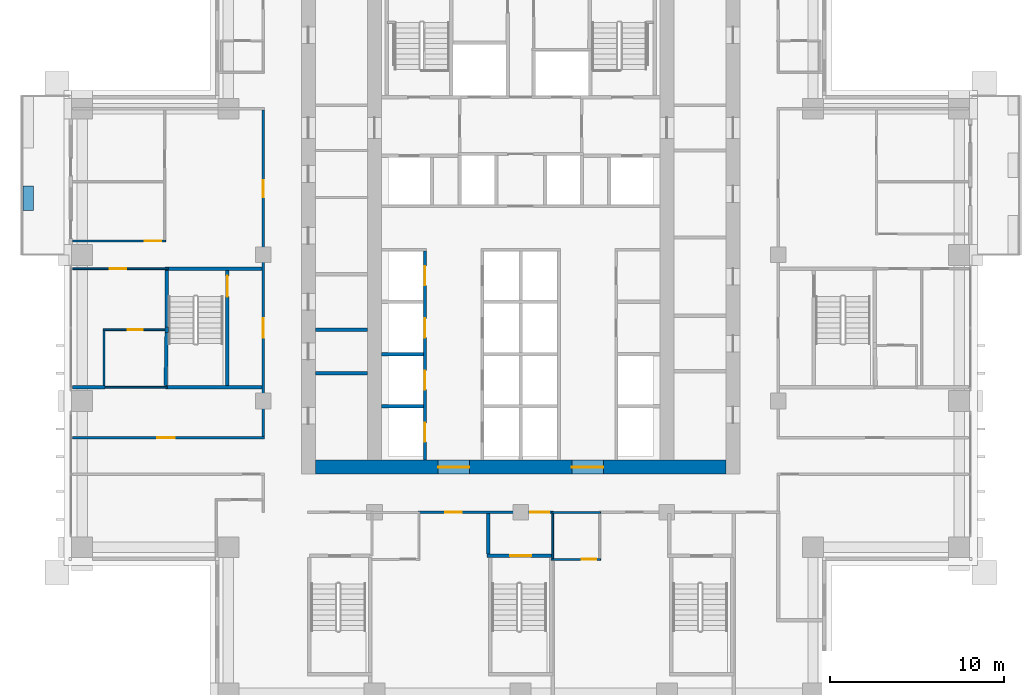
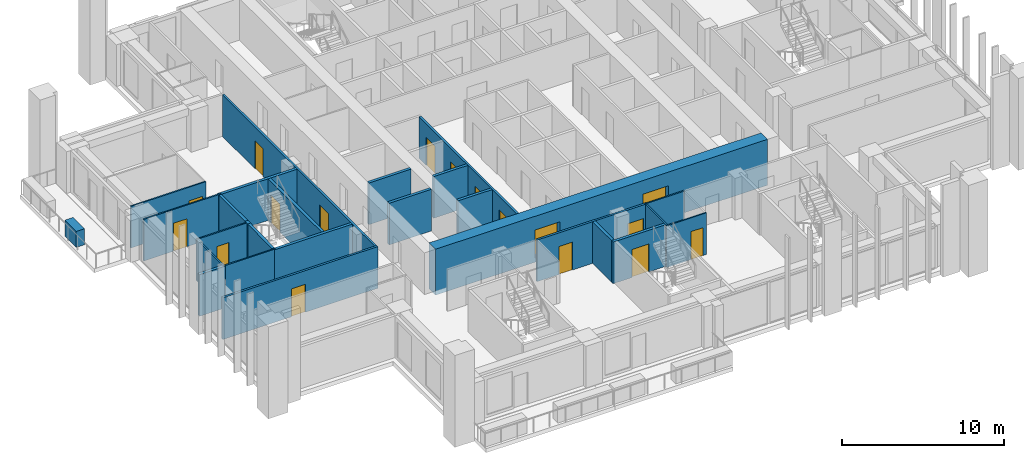
# One storey, part 7 of 17: 27 walls, 17 doors, 17 openings.
"""IFC4 building model written with IfcOpenShell, lengths in metres."""

from ifc_helpers import new_model, si_unit, direction, frame, frame_2d, origin, place, context, subcontext, project, spatial, rectangle, extrude, material, layer, layer_set, type_object, element, fill, save


model = new_model("IFC4")

# Units and contexts
model_context = context("Model", 3, precision=1e-05, world=origin(), true_north=direction((0.0, 1.0)))
body_context = subcontext(model_context, "Body", "Model", "MODEL_VIEW")
ifc_project = project(units=[si_unit("LENGTHUNIT", "METRE"), si_unit("AREAUNIT", "SQUARE_METRE"), si_unit("VOLUMEUNIT", "CUBIC_METRE"), si_unit("PLANEANGLEUNIT", "RADIAN"), si_unit("MASSUNIT", "GRAM", prefix="KILO")], contexts=[model_context])

# Site, building, storey
site_placement = place(None, origin())
site = spatial("IfcSite", under=ifc_project, at=site_placement, CompositionType="ELEMENT")
building_placement = place(site_placement, origin())
building = spatial("IfcBuilding", under=site, at=building_placement, Name="Vermilion Ogive Tower", CompositionType="ELEMENT")
storey_placement = place(building_placement, frame((0.0, 0.0, 111.449951171875)))
storey = spatial("IfcBuildingStorey", under=building, at=storey_placement, Name="L28", CompositionType="ELEMENT", Elevation=111.449951171875)

# Wall, openings, doors
ifc_material_1 = material(Name="Concrete B80", Category="concrete")
ifc_layer_1 = layer(ifc_material_1, 0.800048828125)
ifc_layer_set_1 = layer_set([ifc_layer_1], Name="Core wall 800 B80")
wall_type_1 = type_object("IfcWallType", Name="Core wall 800 B80", PredefinedType="SHEAR", material=ifc_layer_set_1)
wall_1_placement = place(storey_placement, frame((-11.800048828125, -8.0, -0.320068359375), z_axis=(0.0, 0.0, 1.0), x_axis=(1.0, 0.0, 0.0)))
wall_1 = element("IfcWall", 1, at=wall_1_placement, inside=storey, type_object=wall_type_1, Name="L28-CORE-S", PredefinedType="SHEAR", context=body_context, shape_type="SweptSolid", body=[
    extrude(rectangle(XDim=23.60009765625, YDim=0.800048828125, at=frame_2d((11.800048828125, 0.0))), origin(), (0.0, 0.0, 1.0), 3.4501953125),
])
opening_1_placement = place(wall_1_placement, frame((7.050048828125, 0.0, 0.320068359375)))
opening_1 = element("IfcOpeningElement", 2, at=opening_1_placement, cuts=wall_1, Name="Opening DAH021", PredefinedType="OPENING", context=body_context, shape_type="SweptSolid", body=[
    extrude(rectangle(XDim=1.800048828125, YDim=2.10009765625, at=frame_2d((0.89990234375, 1.050048828125))), frame((0.0, 0.409912109375, 0.0), z_axis=(0.0, -1.0, 0.0), x_axis=(1.0, 0.0, 0.0)), (0.0, 0.0, 1.0), 0.820068359375),
])
opening_2_placement = place(wall_1_placement, frame((14.75, 0.0, 0.320068359375)))
opening_2 = element("IfcOpeningElement", 3, at=opening_2_placement, cuts=wall_1, Name="Opening DAH022", PredefinedType="OPENING", context=body_context, shape_type="SweptSolid", body=[
    extrude(rectangle(XDim=1.800048828125, YDim=2.10009765625, at=frame_2d((0.89990234375, 1.050048828125))), frame((0.0, 0.409912109375, 0.0), z_axis=(0.0, -1.0, 0.0), x_axis=(1.0, 0.0, 0.0)), (0.0, 0.0, 1.0), 0.820068359375),
])
ifc_material_2 = material(Name="Timber door leaf", Category="wood")
door_type_1 = type_object("IfcDoorType", Name="Core entry door 1800 x 2100 FD60S", OperationType="DOUBLE_DOOR_SINGLE_SWING", PredefinedType="DOOR", material=ifc_material_2)
door_1_placement = place(opening_1_placement, origin())
door_1 = element("IfcDoor", 4, at=door_1_placement, inside=storey, type_object=door_type_1, Name="L28-CK-XD1", OperationType="SINGLE_SWING_LEFT", OverallHeight=2.10009765625, OverallWidth=1.800048828125, PredefinedType="DOOR", context=body_context, shape_type="SweptSolid", body=[
    extrude(rectangle(XDim=1.800048828125, YDim=2.10009765625, at=frame_2d((0.89990234375, 1.050048828125))), frame((0.0, 0.02490234375, 0.0), z_axis=(0.0, -1.0, 0.0), x_axis=(1.0, 0.0, 0.0)), (0.0, 0.0, 1.0), 0.050048828125),
])
fill(opening_1, door_1)
door_2_placement = place(opening_2_placement, origin())
door_2 = element("IfcDoor", 5, at=door_2_placement, inside=storey, type_object=door_type_1, Name="L28-CK-XD2", OperationType="SINGLE_SWING_LEFT", OverallHeight=2.10009765625, OverallWidth=1.800048828125, PredefinedType="DOOR", context=body_context, shape_type="SweptSolid", body=[
    extrude(rectangle(XDim=1.800048828125, YDim=2.10009765625, at=frame_2d((0.89990234375, 1.050048828125))), frame((0.0, 0.02490234375, 0.0), z_axis=(0.0, -1.0, 0.0), x_axis=(1.0, 0.0, 0.0)), (0.0, 0.0, 1.0), 0.050048828125),
])
fill(opening_2, door_2)

# Wall, opening, door
ifc_material_3 = material(Name="Gypsum board partition on steel studs", Category="steel")
ifc_layer_2 = layer(ifc_material_3, 0.10009765625)
ifc_layer_set_2 = layer_set([ifc_layer_2], Name="Partition 100 bath")
wall_type_2 = type_object("IfcWallType", Name="Partition 100 bath", PredefinedType="PARTITIONING", material=ifc_layer_set_2)
wall_2_placement = place(storey_placement, frame((1.75, -13.300048828125, 0.0), z_axis=(0.0, 0.0, 1.0), x_axis=(1.0, 0.0, 0.0)))
wall_2 = element("IfcWall", 6, at=wall_2_placement, inside=storey, type_object=wall_type_2, Name="L28-W-W005", PredefinedType="PARTITIONING", context=body_context, shape_type="SweptSolid", body=[
    extrude(rectangle(XDim=2.847900390625, YDim=0.10009765625, at=frame_2d((1.423828125, 0.0))), origin(), (0.0, 0.0, 1.0), 3.130126953125),
])
opening_3_placement = place(wall_2_placement, frame((1.75, 0.0, 0.0)))
opening_3 = element("IfcOpeningElement", 7, at=opening_3_placement, cuts=wall_2, Name="Opening D2G5013", PredefinedType="OPENING", context=body_context, shape_type="SweptSolid", body=[
    extrude(rectangle(XDim=0.85009765625, YDim=2.10009765625, at=frame_2d((0.425048828125, 1.050048828125))), frame((0.0, 0.06005859375, 0.0), z_axis=(0.0, -1.0, 0.0), x_axis=(1.0, 0.0, 0.0)), (0.0, 0.0, 1.0), 0.1201171875),
])
ifc_material_4 = material(Name="Timber door leaf", Category="wood")
door_type_2 = type_object("IfcDoorType", Name="Bath door 850 x 2100 FD30", OperationType="SINGLE_SWING_LEFT", PredefinedType="DOOR", material=ifc_material_4)
door_3_placement = place(opening_3_placement, origin())
door_3 = element("IfcDoor", 8, at=door_3_placement, inside=storey, type_object=door_type_2, Name="L28-D-D013", OperationType="SINGLE_SWING_RIGHT", OverallHeight=2.10009765625, OverallWidth=0.85009765625, PredefinedType="DOOR", context=body_context, shape_type="SweptSolid", body=[
    extrude(rectangle(XDim=0.85009765625, YDim=2.10009765625, at=frame_2d((0.425048828125, 1.050048828125))), frame((0.0, 0.02490234375, 0.0), z_axis=(0.0, -1.0, 0.0), x_axis=(1.0, 0.0, 0.0)), (0.0, 0.0, 1.0), 0.050048828125),
])
fill(opening_3, door_3)

# Walls
wall_3_placement = place(storey_placement, frame((1.800048828125, -10.60009765625, 0.0), z_axis=(0.0, 0.0, 1.0), x_axis=(1.0, 0.0, 0.0)))
element("IfcWall", 9, at=wall_3_placement, inside=storey, type_object=wall_type_2, Name="L28-W-W012", PredefinedType="PARTITIONING", context=body_context, shape_type="SweptSolid", body=[
    extrude(rectangle(XDim=2.800048828125, YDim=0.10009765625, at=frame_2d((1.39990234375, 0.0))), origin(), (0.0, 0.0, 1.0), 3.130126953125),
])
wall_4_placement = place(storey_placement, frame((-24.0, -3.39990234375, 0.0), z_axis=(0.0, 0.0, 1.0), x_axis=(1.0, 0.0, 0.0)))
element("IfcWall", 10, at=wall_4_placement, inside=storey, type_object=wall_type_2, Name="L28-W-W020", PredefinedType="PARTITIONING", context=body_context, shape_type="SweptSolid", body=[
    extrude(rectangle(XDim=3.699951171875, YDim=0.10009765625, at=frame_2d((1.85009765625, 0.0))), origin(), (0.0, 0.0, 1.0), 3.130126953125),
])

# Wall, opening, door
wall_5_placement = place(storey_placement, frame((-24.0, -0.10009765625, 0.0), z_axis=(0.0, 0.0, 1.0), x_axis=(1.0, 0.0, 0.0)))
wall_5 = element("IfcWall", 11, at=wall_5_placement, inside=storey, type_object=wall_type_2, Name="L28-W-W026", PredefinedType="PARTITIONING", context=body_context, shape_type="SweptSolid", body=[
    extrude(rectangle(XDim=3.550048828125, YDim=0.10009765625, at=frame_2d((1.77490234375, 0.0))), origin(), (0.0, 0.0, 1.0), 3.130126953125),
])
opening_4_placement = place(wall_5_placement, frame((1.425048828125, 0.0, 0.0)))
opening_4 = element("IfcOpeningElement", 12, at=opening_4_placement, cuts=wall_5, Name="Opening D2G5007", PredefinedType="OPENING", context=body_context, shape_type="SweptSolid", body=[
    extrude(rectangle(XDim=0.85009765625, YDim=2.10009765625, at=frame_2d((0.425048828125, 1.050048828125))), frame((0.0, 0.06005859375, 0.0), z_axis=(0.0, -1.0, 0.0), x_axis=(1.0, 0.0, 0.0)), (0.0, 0.0, 1.0), 0.1201171875),
])
door_4_placement = place(opening_4_placement, origin())
door_4 = element("IfcDoor", 13, at=door_4_placement, inside=storey, type_object=door_type_2, Name="L28-D-D007", OperationType="SINGLE_SWING_RIGHT", OverallHeight=2.10009765625, OverallWidth=0.85009765625, PredefinedType="DOOR", context=body_context, shape_type="SweptSolid", body=[
    extrude(rectangle(XDim=0.85009765625, YDim=2.10009765625, at=frame_2d((0.425048828125, 1.050048828125))), frame((0.0, 0.02490234375, 0.0), z_axis=(0.0, -1.0, 0.0), x_axis=(1.0, 0.0, 0.0)), (0.0, 0.0, 1.0), 0.050048828125),
])
fill(opening_4, door_4)

# Walls
wall_6_placement = place(storey_placement, frame((-23.949951171875, -3.300048828125, 0.0), z_axis=(0.0, 0.0, 1.0), x_axis=(0.0, 1.0, 0.0)))
element("IfcWall", 14, at=wall_6_placement, inside=storey, type_object=wall_type_2, Name="L28-W-W043", PredefinedType="PARTITIONING", context=body_context, shape_type="SweptSolid", body=[
    extrude(rectangle(XDim=3.150146484375, YDim=0.10009765625, at=frame_2d((1.5751953125, 0.0))), origin(), (0.0, 0.0, 1.0), 3.130126953125),
])
wall_7_placement = place(storey_placement, frame((1.85009765625, -13.25, 0.0), z_axis=(0.0, 0.0, 1.0), x_axis=(0.0, 1.0, 0.0)))
element("IfcWall", 15, at=wall_7_placement, inside=storey, type_object=wall_type_2, Name="L28-W-W061", PredefinedType="PARTITIONING", context=body_context, shape_type="SweptSolid", body=[
    extrude(rectangle(XDim=2.574951171875, YDim=0.10009765625, at=frame_2d((1.28759765625, 0.0))), origin(), (0.0, 0.0, 1.0), 3.130126953125),
])

# Wall, opening, door
ifc_material_5 = material(Name="Gypsum board partition on steel studs", Category="steel")
ifc_layer_3 = layer(ifc_material_5, 0.10009765625)
ifc_layer_set_3 = layer_set([ifc_layer_3], Name="Partition 100 inner")
wall_type_3 = type_object("IfcWallType", Name="Partition 100 inner", PredefinedType="PARTITIONING", material=ifc_layer_set_3)
wall_8_placement = place(storey_placement, frame((-25.75, 3.39990234375, 0.0), z_axis=(0.0, 0.0, 1.0), x_axis=(1.0, 0.0, 0.0)))
wall_8 = element("IfcWall", 16, at=wall_8_placement, inside=storey, type_object=wall_type_3, Name="L28-W-W027", PredefinedType="PARTITIONING", context=body_context, shape_type="SweptSolid", body=[
    extrude(rectangle(XDim=5.5, YDim=0.10009765625, at=frame_2d((2.75, 0.0))), origin(), (0.0, 0.0, 1.0), 3.130126953125),
])
opening_5_placement = place(wall_8_placement, frame((2.125, 0.0, 0.0)))
opening_5 = element("IfcOpeningElement", 17, at=opening_5_placement, cuts=wall_8, Name="Opening D2G5006", PredefinedType="OPENING", context=body_context, shape_type="SweptSolid", body=[
    extrude(rectangle(XDim=0.949951171875, YDim=2.10009765625, at=frame_2d((0.47509765625, 1.050048828125))), frame((0.0, 0.06005859375, 0.0), z_axis=(0.0, -1.0, 0.0), x_axis=(1.0, 0.0, 0.0)), (0.0, 0.0, 1.0), 0.1201171875),
])
ifc_material_6 = material(Name="Timber door leaf", Category="wood")
door_type_3 = type_object("IfcDoorType", Name="Inner door 950 x 2100 FD30", OperationType="SINGLE_SWING_LEFT", PredefinedType="DOOR", material=ifc_material_6)
door_5_placement = place(opening_5_placement, origin())
door_5 = element("IfcDoor", 18, at=door_5_placement, inside=storey, type_object=door_type_3, Name="L28-D-D006", OperationType="SINGLE_SWING_LEFT", OverallHeight=2.10009765625, OverallWidth=0.949951171875, PredefinedType="DOOR", context=body_context, shape_type="SweptSolid", body=[
    extrude(rectangle(XDim=0.949951171875, YDim=2.10009765625, at=frame_2d((0.47509765625, 1.050048828125))), frame((0.0, 0.02490234375, 0.0), z_axis=(0.0, -1.0, 0.0), x_axis=(1.0, 0.0, 0.0)), (0.0, 0.0, 1.0), 0.050048828125),
])
fill(opening_5, door_5)

wall_9_placement = place(storey_placement, frame((-25.75, 5.0, 0.0), z_axis=(0.0, 0.0, 1.0), x_axis=(1.0, 0.0, 0.0)))
wall_9 = element("IfcWall", 19, at=wall_9_placement, inside=storey, type_object=wall_type_3, Name="L28-W-W031", PredefinedType="PARTITIONING", context=body_context, shape_type="SweptSolid", body=[
    extrude(rectangle(XDim=5.35009765625, YDim=0.10009765625, at=frame_2d((2.675048828125, 0.0))), origin(), (0.0, 0.0, 1.0), 3.130126953125),
])
opening_6_placement = place(wall_9_placement, frame((4.14990234375, 0.0, 0.0)))
opening_6 = element("IfcOpeningElement", 20, at=opening_6_placement, cuts=wall_9, Name="Opening D2G5003", PredefinedType="OPENING", context=body_context, shape_type="SweptSolid", body=[
    extrude(rectangle(XDim=0.949951171875, YDim=2.10009765625, at=frame_2d((0.47509765625, 1.050048828125))), frame((0.0, 0.06005859375, 0.0), z_axis=(0.0, -1.0, 0.0), x_axis=(1.0, 0.0, 0.0)), (0.0, 0.0, 1.0), 0.1201171875),
])
door_6_placement = place(opening_6_placement, origin())
door_6 = element("IfcDoor", 21, at=door_6_placement, inside=storey, type_object=door_type_3, Name="L28-D-D003", OperationType="SINGLE_SWING_LEFT", OverallHeight=2.10009765625, OverallWidth=0.949951171875, PredefinedType="DOOR", context=body_context, shape_type="SweptSolid", body=[
    extrude(rectangle(XDim=0.949951171875, YDim=2.10009765625, at=frame_2d((0.47509765625, 1.050048828125))), frame((0.0, 0.02490234375, 0.0), z_axis=(0.0, -1.0, 0.0), x_axis=(1.0, 0.0, 0.0)), (0.0, 0.0, 1.0), 0.050048828125),
])
fill(opening_6, door_6)

# Wall, openings, doors
ifc_material_7 = material(Name="Gypsum board partition on steel studs", Category="steel")
ifc_layer_4 = layer(ifc_material_7, 0.14990234375)
ifc_layer_set_4 = layer_set([ifc_layer_4], Name="Partition 150 corridor")
wall_type_4 = type_object("IfcWallType", Name="Partition 150 corridor", PredefinedType="PARTITIONING", material=ifc_layer_set_4)
wall_10_placement = place(storey_placement, frame((-5.89990234375, -10.60009765625, 0.0), z_axis=(0.0, 0.0, 1.0), x_axis=(1.0, 0.0, 0.0)))
wall_10 = element("IfcWall", 22, at=wall_10_placement, inside=storey, type_object=wall_type_4, Name="L28-W-W011", PredefinedType="PARTITIONING", context=body_context, shape_type="SweptSolid", body=[
    extrude(rectangle(XDim=7.7998046875, YDim=0.14990234375, at=frame_2d((3.89990234375, 0.0))), origin(), (0.0, 0.0, 1.0), 3.130126953125),
])
opening_7_placement = place(wall_10_placement, frame((1.574951171875, 0.0, 0.0)))
opening_7 = element("IfcOpeningElement", 23, at=opening_7_placement, cuts=wall_10, Name="Opening D2G5010", PredefinedType="OPENING", context=body_context, shape_type="SweptSolid", body=[
    extrude(rectangle(XDim=0.949951171875, YDim=2.10009765625, at=frame_2d((0.47509765625, 1.050048828125))), frame((0.0, 0.0849609375, 0.0), z_axis=(0.0, -1.0, 0.0), x_axis=(1.0, 0.0, 0.0)), (0.0, 0.0, 1.0), 0.169921875),
])
opening_8_placement = place(wall_10_placement, frame((6.449951171875, 0.0, 0.0)))
opening_8 = element("IfcOpeningElement", 24, at=opening_8_placement, cuts=wall_10, Name="Opening D2G5025", PredefinedType="OPENING", context=body_context, shape_type="SweptSolid", body=[
    extrude(rectangle(XDim=1.10009765625, YDim=2.10009765625, at=frame_2d((0.550048828125, 1.050048828125))), frame((0.0, 0.0849609375, 0.0), z_axis=(0.0, -1.0, 0.0), x_axis=(1.0, 0.0, 0.0)), (0.0, 0.0, 1.0), 0.169921875),
])
ifc_material_8 = material(Name="Timber door leaf", Category="wood")
door_type_4 = type_object("IfcDoorType", Name="Stair door 1100 x 2100 FD60S", OperationType="SINGLE_SWING_LEFT", PredefinedType="DOOR", material=ifc_material_8)
door_7_placement = place(opening_8_placement, origin())
door_7 = element("IfcDoor", 25, at=door_7_placement, inside=storey, type_object=door_type_4, Name="L28-D-D025", OperationType="SINGLE_SWING_LEFT", OverallHeight=2.10009765625, OverallWidth=1.10009765625, PredefinedType="DOOR", context=body_context, shape_type="SweptSolid", body=[
    extrude(rectangle(XDim=1.10009765625, YDim=2.10009765625, at=frame_2d((0.550048828125, 1.050048828125))), frame((0.0, 0.02490234375, 0.0), z_axis=(0.0, -1.0, 0.0), x_axis=(1.0, 0.0, 0.0)), (0.0, 0.0, 1.0), 0.050048828125),
])
fill(opening_8, door_7)
ifc_material_9 = material(Name="Timber door leaf", Category="wood")
door_type_5 = type_object("IfcDoorType", Name="Unit door 950 x 2100 FD30S", OperationType="SINGLE_SWING_LEFT", PredefinedType="DOOR", material=ifc_material_9)
door_8_placement = place(opening_7_placement, origin())
door_8 = element("IfcDoor", 26, at=door_8_placement, inside=storey, type_object=door_type_5, Name="L28-D-D010", OperationType="SINGLE_SWING_LEFT", OverallHeight=2.10009765625, OverallWidth=0.949951171875, PredefinedType="DOOR", context=body_context, shape_type="SweptSolid", body=[
    extrude(rectangle(XDim=0.949951171875, YDim=2.10009765625, at=frame_2d((0.47509765625, 1.050048828125))), frame((0.0, 0.02490234375, 0.0), z_axis=(0.0, -1.0, 0.0), x_axis=(1.0, 0.0, 0.0)), (0.0, 0.0, 1.0), 0.050048828125),
])
fill(opening_7, door_8)

# Wall, opening, door
wall_11_placement = place(storey_placement, frame((-25.75, -6.300048828125, 0.0), z_axis=(0.0, 0.0, 1.0), x_axis=(1.0, 0.0, 0.0)))
wall_11 = element("IfcWall", 27, at=wall_11_placement, inside=storey, type_object=wall_type_4, Name="L28-W-W017", PredefinedType="PARTITIONING", context=body_context, shape_type="SweptSolid", body=[
    extrude(rectangle(XDim=11.02490234375, YDim=0.14990234375, at=frame_2d((5.512451171875, 0.0))), origin(), (0.0, 0.0, 1.0), 3.130126953125),
])
opening_9_placement = place(wall_11_placement, frame((4.875, 0.0, 0.0)))
opening_9 = element("IfcOpeningElement", 28, at=opening_9_placement, cuts=wall_11, Name="Opening D2G5034", PredefinedType="OPENING", context=body_context, shape_type="SweptSolid", body=[
    extrude(rectangle(XDim=1.0, YDim=2.10009765625, at=frame_2d((0.5, 1.050048828125))), frame((0.0, 0.0849609375, 0.0), z_axis=(0.0, -1.0, 0.0), x_axis=(1.0, 0.0, 0.0)), (0.0, 0.0, 1.0), 0.169921875),
])
ifc_material_10 = material(Name="Timber door leaf", Category="wood")
door_type_6 = type_object("IfcDoorType", Name="Unit door 1000 x 2100 FD30S", OperationType="SINGLE_SWING_LEFT", PredefinedType="DOOR", material=ifc_material_10)
door_9_placement = place(opening_9_placement, origin())
door_9 = element("IfcDoor", 29, at=door_9_placement, inside=storey, type_object=door_type_6, Name="L28-D-D034", OperationType="SINGLE_SWING_RIGHT", OverallHeight=2.10009765625, OverallWidth=1.0, PredefinedType="DOOR", context=body_context, shape_type="SweptSolid", body=[
    extrude(rectangle(XDim=1.0, YDim=2.10009765625, at=frame_2d((0.5, 1.050048828125))), frame((0.0, 0.02490234375, 0.0), z_axis=(0.0, -1.0, 0.0), x_axis=(1.0, 0.0, 0.0)), (0.0, 0.0, 1.0), 0.050048828125),
])
fill(opening_9, door_9)

# Wall, openings, doors
wall_12_placement = place(storey_placement, frame((-14.800048828125, -6.22509765625, 0.0), z_axis=(0.0, 0.0, 1.0), x_axis=(0.0, 1.0, 0.0)))
wall_12 = element("IfcWall", 30, at=wall_12_placement, inside=storey, type_object=wall_type_4, Name="L28-W-W052", PredefinedType="PARTITIONING", context=body_context, shape_type="SweptSolid", body=[
    extrude(rectangle(XDim=18.75, YDim=0.14990234375, at=frame_2d((9.375, 0.0))), origin(), (0.0, 0.0, 1.0), 3.130126953125),
])
opening_10_placement = place(wall_12_placement, frame((13.72509765625, 0.0, 0.0)))
opening_10 = element("IfcOpeningElement", 31, at=opening_10_placement, cuts=wall_12, Name="Opening D2G5005", PredefinedType="OPENING", context=body_context, shape_type="SweptSolid", body=[
    extrude(rectangle(XDim=1.0, YDim=2.10009765625, at=frame_2d((0.5, 1.050048828125))), frame((0.0, 0.0849609375, 0.0), z_axis=(0.0, -1.0, 0.0), x_axis=(1.0, 0.0, 0.0)), (0.0, 0.0, 1.0), 0.169921875),
])
opening_11_placement = place(wall_12_placement, frame((5.675048828125, 0.0, 0.0)))
opening_11 = element("IfcOpeningElement", 32, at=opening_11_placement, cuts=wall_12, Name="Opening D2G5031", PredefinedType="OPENING", context=body_context, shape_type="SweptSolid", body=[
    extrude(rectangle(XDim=1.10009765625, YDim=2.10009765625, at=frame_2d((0.550048828125, 1.050048828125))), frame((0.0, 0.0849609375, 0.0), z_axis=(0.0, -1.0, 0.0), x_axis=(1.0, 0.0, 0.0)), (0.0, 0.0, 1.0), 0.169921875),
])
door_10_placement = place(opening_11_placement, origin())
door_10 = element("IfcDoor", 33, at=door_10_placement, inside=storey, type_object=door_type_4, Name="L28-D-D031", OperationType="SINGLE_SWING_RIGHT", OverallHeight=2.10009765625, OverallWidth=1.10009765625, PredefinedType="DOOR", context=body_context, shape_type="SweptSolid", body=[
    extrude(rectangle(XDim=1.10009765625, YDim=2.10009765625, at=frame_2d((0.550048828125, 1.050048828125))), frame((0.0, 0.02490234375, 0.0), z_axis=(0.0, -1.0, 0.0), x_axis=(1.0, 0.0, 0.0)), (0.0, 0.0, 1.0), 0.050048828125),
])
fill(opening_11, door_10)
door_11_placement = place(opening_10_placement, origin())
door_11 = element("IfcDoor", 34, at=door_11_placement, inside=storey, type_object=door_type_6, Name="L28-D-D005", OperationType="SINGLE_SWING_LEFT", OverallHeight=2.10009765625, OverallWidth=1.0, PredefinedType="DOOR", context=body_context, shape_type="SweptSolid", body=[
    extrude(rectangle(XDim=1.0, YDim=2.10009765625, at=frame_2d((0.5, 1.050048828125))), frame((0.0, 0.02490234375, 0.0), z_axis=(0.0, -1.0, 0.0), x_axis=(1.0, 0.0, 0.0)), (0.0, 0.0, 1.0), 0.050048828125),
])
fill(opening_10, door_11)

wall_13_placement = place(storey_placement, frame((-5.5, -7.59912109375, 0.0), z_axis=(0.0, 0.0, 1.0), x_axis=(0.0, 1.0, 0.0)))
wall_13 = element("IfcWall", 35, at=wall_13_placement, inside=storey, type_object=wall_type_4, Name="L28-CK-W-W022", PredefinedType="PARTITIONING", context=body_context, shape_type="SweptSolid", body=[
    extrude(rectangle(XDim=12.024169921875, YDim=0.14990234375, at=frame_2d((6.01220703125, 0.0))), origin(), (0.0, 0.0, 1.0), 3.130126953125),
])
opening_12_placement = place(wall_13_placement, frame((1.049072265625, 0.0, 0.0)))
opening_12 = element("IfcOpeningElement", 36, at=opening_12_placement, cuts=wall_13, Name="Opening DAA241", PredefinedType="OPENING", context=body_context, shape_type="SweptSolid", body=[
    extrude(rectangle(XDim=1.10009765625, YDim=2.10009765625, at=frame_2d((0.550048828125, 1.050048828125))), frame((0.0, 0.0849609375, 0.0), z_axis=(0.0, -1.0, 0.0), x_axis=(1.0, 0.0, 0.0)), (0.0, 0.0, 1.0), 0.169921875),
])
opening_13_placement = place(wall_13_placement, frame((4.049072265625, 0.0, 0.0)))
opening_13 = element("IfcOpeningElement", 37, at=opening_13_placement, cuts=wall_13, Name="Opening DAA244", PredefinedType="OPENING", context=body_context, shape_type="SweptSolid", body=[
    extrude(rectangle(XDim=1.10009765625, YDim=2.10009765625, at=frame_2d((0.550048828125, 1.050048828125))), frame((0.0, 0.0849609375, 0.0), z_axis=(0.0, -1.0, 0.0), x_axis=(1.0, 0.0, 0.0)), (0.0, 0.0, 1.0), 0.169921875),
])
opening_14_placement = place(wall_13_placement, frame((7.049072265625, 0.0, 0.0)))
opening_14 = element("IfcOpeningElement", 38, at=opening_14_placement, cuts=wall_13, Name="Opening DAA245", PredefinedType="OPENING", context=body_context, shape_type="SweptSolid", body=[
    extrude(rectangle(XDim=1.10009765625, YDim=2.10009765625, at=frame_2d((0.550048828125, 1.050048828125))), frame((0.0, 0.0849609375, 0.0), z_axis=(0.0, -1.0, 0.0), x_axis=(1.0, 0.0, 0.0)), (0.0, 0.0, 1.0), 0.169921875),
])
opening_15_placement = place(wall_13_placement, frame((10.049072265625, 0.0, 0.0)))
opening_15 = element("IfcOpeningElement", 39, at=opening_15_placement, cuts=wall_13, Name="Opening DAA246", PredefinedType="OPENING", context=body_context, shape_type="SweptSolid", body=[
    extrude(rectangle(XDim=1.10009765625, YDim=2.10009765625, at=frame_2d((0.550048828125, 1.050048828125))), frame((0.0, 0.0849609375, 0.0), z_axis=(0.0, -1.0, 0.0), x_axis=(1.0, 0.0, 0.0)), (0.0, 0.0, 1.0), 0.169921875),
])
ifc_material_11 = material(Name="Stainless steel", Category="steel")
door_type_7 = type_object("IfcDoorType", Name="Lift landing door 1100 x 2100", OperationType="SLIDING_TO_LEFT", PredefinedType="DOOR", material=ifc_material_11)
door_12_placement = place(opening_12_placement, origin())
door_12 = element("IfcDoor", 40, at=door_12_placement, inside=storey, type_object=door_type_7, Name="L28-CK-D-D001", OperationType="SLIDING_TO_LEFT", OverallHeight=2.10009765625, OverallWidth=1.10009765625, PredefinedType="DOOR", context=body_context, shape_type="SweptSolid", body=[
    extrude(rectangle(XDim=1.10009765625, YDim=2.10009765625, at=frame_2d((0.550048828125, 1.050048828125))), frame((0.0, 0.02490234375, 0.0), z_axis=(0.0, -1.0, 0.0), x_axis=(1.0, 0.0, 0.0)), (0.0, 0.0, 1.0), 0.050048828125),
])
fill(opening_12, door_12)
door_13_placement = place(opening_13_placement, origin())
door_13 = element("IfcDoor", 41, at=door_13_placement, inside=storey, type_object=door_type_7, Name="L28-CK-D-D002", OperationType="SLIDING_TO_LEFT", OverallHeight=2.10009765625, OverallWidth=1.10009765625, PredefinedType="DOOR", context=body_context, shape_type="SweptSolid", body=[
    extrude(rectangle(XDim=1.10009765625, YDim=2.10009765625, at=frame_2d((0.550048828125, 1.050048828125))), frame((0.0, 0.02490234375, 0.0), z_axis=(0.0, -1.0, 0.0), x_axis=(1.0, 0.0, 0.0)), (0.0, 0.0, 1.0), 0.050048828125),
])
fill(opening_13, door_13)
door_14_placement = place(opening_14_placement, origin())
door_14 = element("IfcDoor", 42, at=door_14_placement, inside=storey, type_object=door_type_7, Name="L28-CK-D-D003", OperationType="SLIDING_TO_LEFT", OverallHeight=2.10009765625, OverallWidth=1.10009765625, PredefinedType="DOOR", context=body_context, shape_type="SweptSolid", body=[
    extrude(rectangle(XDim=1.10009765625, YDim=2.10009765625, at=frame_2d((0.550048828125, 1.050048828125))), frame((0.0, 0.02490234375, 0.0), z_axis=(0.0, -1.0, 0.0), x_axis=(1.0, 0.0, 0.0)), (0.0, 0.0, 1.0), 0.050048828125),
])
fill(opening_14, door_14)
door_15_placement = place(opening_15_placement, origin())
door_15 = element("IfcDoor", 43, at=door_15_placement, inside=storey, type_object=door_type_7, Name="L28-CK-D-D004", OperationType="SLIDING_TO_LEFT", OverallHeight=2.10009765625, OverallWidth=1.10009765625, PredefinedType="DOOR", context=body_context, shape_type="SweptSolid", body=[
    extrude(rectangle(XDim=1.10009765625, YDim=2.10009765625, at=frame_2d((0.550048828125, 1.050048828125))), frame((0.0, 0.02490234375, 0.0), z_axis=(0.0, -1.0, 0.0), x_axis=(1.0, 0.0, 0.0)), (0.0, 0.0, 1.0), 0.050048828125),
])
fill(opening_15, door_15)

# Walls
ifc_material_12 = material(Name="Gypsum board partition on steel studs", Category="steel")
ifc_layer_5 = layer(ifc_material_12, 0.199951171875)
ifc_layer_set_5 = layer_set([ifc_layer_5], Name="Partition 200 party")
wall_type_5 = type_object("IfcWallType", Name="Partition 200 party", PredefinedType="PARTITIONING", material=ifc_layer_set_5)
wall_14_placement = place(storey_placement, frame((-25.75, -3.39990234375, 0.0), z_axis=(0.0, 0.0, 1.0), x_axis=(1.0, 0.0, 0.0)))
element("IfcWall", 44, at=wall_14_placement, inside=storey, type_object=wall_type_5, Name="L28-W-W019", PredefinedType="PARTITIONING", context=body_context, shape_type="SweptSolid", body=[
    extrude(rectangle(XDim=1.85009765625, YDim=0.199951171875, at=frame_2d((0.925048828125, 0.0))), origin(), (0.0, 0.0, 1.0), 3.130126953125),
])
wall_15_placement = place(storey_placement, frame((-1.85009765625, -12.998046875, 0.0), z_axis=(0.0, 0.0, 1.0), x_axis=(0.0, 1.0, 0.0)))
element("IfcWall", 45, at=wall_15_placement, inside=storey, type_object=wall_type_5, Name="L28-W-W057", PredefinedType="PARTITIONING", context=body_context, shape_type="SweptSolid", body=[
    extrude(rectangle(XDim=2.322998046875, YDim=0.199951171875, at=frame_2d((1.16162109375, 0.0))), origin(), (0.0, 0.0, 1.0), 3.130126953125),
])
for number, where, z_axis, x_axis, name in (
    (46, (-7.9990234375, -4.5, 0.0), (0.0, 0.0, 1.0), (1.0, 0.0, 0.0), "L28-CK-W-W001"),
    (47, (-7.9990234375, -1.5, 0.0), (0.0, 0.0, 1.0), (1.0, 0.0, 0.0), "L28-CK-W-W004"),
):
    element("IfcWall", number, at=place(storey_placement, frame(where, z_axis=z_axis, x_axis=x_axis)), inside=storey, type_object=wall_type_5, Name=name, PredefinedType="PARTITIONING", context=body_context, shape_type="SweptSolid", body=[
        extrude(rectangle(XDim=2.424072265625, YDim=0.199951171875, at=frame_2d((1.2119140625, 0.0))), origin(), (0.0, 0.0, 1.0), 3.130126953125),
    ])
for number, where, z_axis, x_axis, name in (
    (48, (-11.799072265625, -2.60009765625, 0.0), (0.0, 0.0, 1.0), (1.0, 0.0, 0.0), "L28-CKW-W-W001"),
    (49, (-11.799072265625, -0.10009765625, 0.0), (0.0, 0.0, 1.0), (1.0, 0.0, 0.0), "L28-CKW-W-W002"),
):
    element("IfcWall", number, at=place(storey_placement, frame(where, z_axis=z_axis, x_axis=x_axis)), inside=storey, type_object=wall_type_5, Name=name, PredefinedType="PARTITIONING", context=body_context, shape_type="SweptSolid", body=[
        extrude(rectangle(XDim=2.998046875, YDim=0.199951171875, at=frame_2d((1.4990234375, 0.0))), origin(), (0.0, 0.0, 1.0), 3.130126953125),
    ])

# Wall, opening, door
ifc_material_13 = material(Name="Concrete B60", Category="concrete")
ifc_layer_6 = layer(ifc_material_13, 0.199951171875)
ifc_layer_set_6 = layer_set([ifc_layer_6], Name="Stair shaft wall 200 Concrete B60")
wall_type_6 = type_object("IfcWallType", Name="Stair shaft wall 200 Concrete B60", PredefinedType="SOLIDWALL", material=ifc_layer_set_6)
wall_16_placement = place(storey_placement, frame((-1.947998046875, -13.10009765625, 0.0), z_axis=(0.0, 0.0, 1.0), x_axis=(1.0, 0.0, 0.0)))
wall_16 = element("IfcWall", 50, at=wall_16_placement, inside=storey, type_object=wall_type_6, Name="L28-W-W007", PredefinedType="SOLIDWALL", context=body_context, shape_type="SweptSolid", body=[
    extrude(rectangle(XDim=3.74609375, YDim=0.199951171875, at=frame_2d((1.873046875, 0.0))), origin(), (0.0, 0.0, 1.0), 3.130126953125),
])
opening_16_placement = place(wall_16_placement, frame((1.347900390625, 0.0, 0.0)))
opening_16 = element("IfcOpeningElement", 51, at=opening_16_placement, cuts=wall_16, Name="Opening D2G5026", PredefinedType="OPENING", context=body_context, shape_type="SweptSolid", body=[
    extrude(rectangle(XDim=1.199951171875, YDim=2.10009765625, at=frame_2d((0.60009765625, 1.050048828125))), frame((0.0, 0.10986328125, 0.0), z_axis=(0.0, -1.0, 0.0), x_axis=(1.0, 0.0, 0.0)), (0.0, 0.0, 1.0), 0.219970703125),
])
ifc_material_14 = material(Name="Timber door leaf", Category="wood")
door_type_8 = type_object("IfcDoorType", Name="Stair door 1200 x 2100 FD60S", OperationType="SINGLE_SWING_LEFT", PredefinedType="DOOR", material=ifc_material_14)
door_16_placement = place(opening_16_placement, origin())
door_16 = element("IfcDoor", 52, at=door_16_placement, inside=storey, type_object=door_type_8, Name="L28-D-D026", OperationType="SINGLE_SWING_RIGHT", OverallHeight=2.10009765625, OverallWidth=1.199951171875, PredefinedType="DOOR", context=body_context, shape_type="SweptSolid", body=[
    extrude(rectangle(XDim=1.199951171875, YDim=2.10009765625, at=frame_2d((0.60009765625, 1.050048828125))), frame((0.0, 0.02490234375, 0.0), z_axis=(0.0, -1.0, 0.0), x_axis=(1.0, 0.0, 0.0)), (0.0, 0.0, 1.0), 0.050048828125),
])
fill(opening_16, door_16)

# Walls
wall_17_placement = place(storey_placement, frame((-20.39990234375, -3.39990234375, 0.0), z_axis=(0.0, 0.0, 1.0), x_axis=(1.0, 0.0, 0.0)))
element("IfcWall", 53, at=wall_17_placement, inside=storey, type_object=wall_type_6, Name="L28-W-W021", PredefinedType="SOLIDWALL", context=body_context, shape_type="SweptSolid", body=[
    extrude(rectangle(XDim=5.52490234375, YDim=0.199951171875, at=frame_2d((2.762451171875, 0.0))), origin(), (0.0, 0.0, 1.0), 3.130126953125),
])
wall_18_placement = place(storey_placement, frame((-20.449951171875, 3.39990234375, 0.0), z_axis=(0.0, 0.0, 1.0), x_axis=(1.0, 0.0, 0.0)))
element("IfcWall", 54, at=wall_18_placement, inside=storey, type_object=wall_type_6, Name="L28-W-W028", PredefinedType="SOLIDWALL", context=body_context, shape_type="SweptSolid", body=[
    extrude(rectangle(XDim=5.574951171875, YDim=0.199951171875, at=frame_2d((2.78759765625, 0.0))), origin(), (0.0, 0.0, 1.0), 3.130126953125),
])
wall_19_placement = place(storey_placement, frame((-20.400146484375, -3.300048828125, 0.0), z_axis=(0.0, 0.0, 1.0), x_axis=(0.016112644959, 0.99987018291, 0.0)))
element("IfcWall", 55, at=wall_19_placement, inside=storey, type_object=wall_type_6, Name="L28-W-W045", PredefinedType="SOLIDWALL", context=body_context, shape_type="SweptSolid", body=[
    extrude(rectangle(XDim=3.030517578125, YDim=0.199951171875, at=frame_2d((1.51513671875, 0.0))), origin(), (0.0, 0.0, 1.0), 3.130126953125),
])
wall_20_placement = place(storey_placement, frame((-20.35009765625, 0.070068359375, 0.0), z_axis=(0.0, 0.0, 1.0), x_axis=(0.0, 1.0, 0.0)))
element("IfcWall", 56, at=wall_20_placement, inside=storey, type_object=wall_type_6, Name="L28-W-W046", PredefinedType="SOLIDWALL", context=body_context, shape_type="SweptSolid", body=[
    extrude(rectangle(XDim=3.22998046875, YDim=0.199951171875, at=frame_2d((1.614990234375, 0.0))), origin(), (0.0, 0.0, 1.0), 3.130126953125),
])

# Wall, opening, door
wall_21_placement = place(storey_placement, frame((-16.85009765625, -3.300048828125, 0.0), z_axis=(0.0, 0.0, 1.0), x_axis=(0.0, 1.0, 0.0)))
wall_21 = element("IfcWall", 57, at=wall_21_placement, inside=storey, type_object=wall_type_6, Name="L28-W-W049", PredefinedType="SOLIDWALL", context=body_context, shape_type="SweptSolid", body=[
    extrude(rectangle(XDim=6.60009765625, YDim=0.199951171875, at=frame_2d((3.300048828125, 0.0))), origin(), (0.0, 0.0, 1.0), 3.130126953125),
])
opening_17_placement = place(wall_21_placement, frame((5.10009765625, 0.0, 0.0)))
opening_17 = element("IfcOpeningElement", 58, at=opening_17_placement, cuts=wall_21, Name="Opening D2G5032", PredefinedType="OPENING", context=body_context, shape_type="SweptSolid", body=[
    extrude(rectangle(XDim=1.199951171875, YDim=2.10009765625, at=frame_2d((0.60009765625, 1.050048828125))), frame((0.0, 0.10986328125, 0.0), z_axis=(0.0, -1.0, 0.0), x_axis=(1.0, 0.0, 0.0)), (0.0, 0.0, 1.0), 0.219970703125),
])
door_17_placement = place(opening_17_placement, origin())
door_17 = element("IfcDoor", 59, at=door_17_placement, inside=storey, type_object=door_type_8, Name="L28-D-D032", OperationType="SINGLE_SWING_RIGHT", OverallHeight=2.10009765625, OverallWidth=1.199951171875, PredefinedType="DOOR", context=body_context, shape_type="SweptSolid", body=[
    extrude(rectangle(XDim=1.199951171875, YDim=2.10009765625, at=frame_2d((0.60009765625, 1.050048828125))), frame((0.0, 0.02490234375, 0.0), z_axis=(0.0, -1.0, 0.0), x_axis=(1.0, 0.0, 0.0)), (0.0, 0.0, 1.0), 0.050048828125),
])
fill(opening_17, door_17)

# Walls
wall_22_placement = place(storey_placement, frame((-20.35009765625, -0.27001953125, 0.0), z_axis=(0.0, 0.0, 1.0), x_axis=(0.0, 1.0, 0.0)))
element("IfcWall", 60, at=wall_22_placement, inside=storey, type_object=wall_type_6, Name="L28-SW-ST9-W1", PredefinedType="SOLIDWALL", context=body_context, shape_type="SweptSolid", body=[
    extrude(rectangle(XDim=0.340087890625, YDim=0.199951171875, at=frame_2d((0.169921875, 0.0))), origin(), (0.0, 0.0, 1.0), 3.130126953125),
])
ifc_material_15 = material(Name="Concrete B40", Category="concrete")
ifc_layer_7 = layer(ifc_material_15, 0.60009765625)
ifc_layer_set_7 = layer_set([ifc_layer_7], Name="Structural planter")
wall_type_7 = type_object("IfcWallType", Name="Structural planter", PredefinedType="USERDEFINED", material=ifc_layer_set_7)
wall_23_placement = place(storey_placement, frame((-28.2939453125, 8.14990234375, -0.0400390625), z_axis=(0.0, 0.0, 1.0), x_axis=(0.0, -1.0, 0.0)))
element("IfcWall", 61, at=wall_23_placement, inside=storey, type_object=wall_type_7, Name="Planter W01A2", ObjectType="PLANTER", PredefinedType="USERDEFINED", context=body_context, shape_type="SweptSolid", body=[
    extrude(rectangle(XDim=1.39990234375, YDim=0.60009765625, at=frame_2d((0.699951171875, 0.0))), origin(), (0.0, 0.0, 1.0), 1.2001953125),
])

save(model, "model.ifc")
